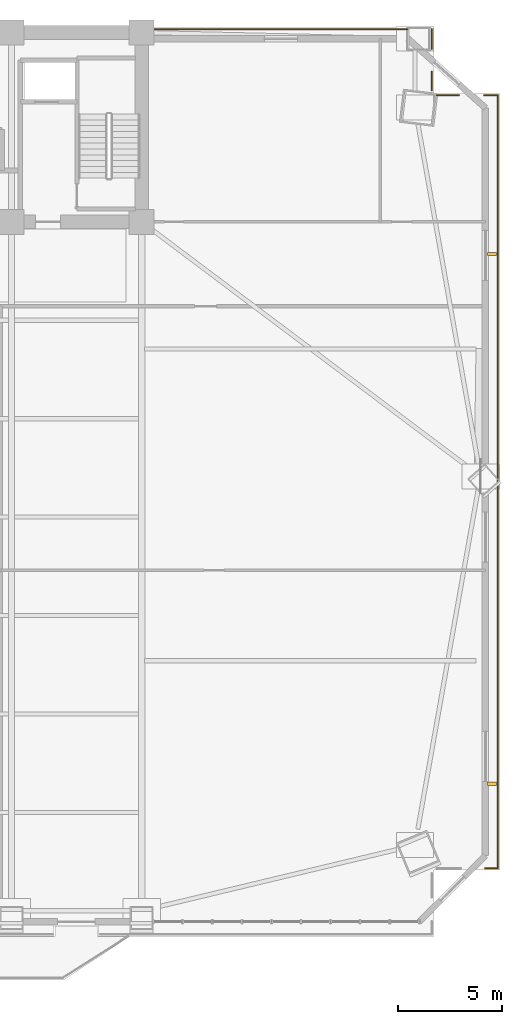
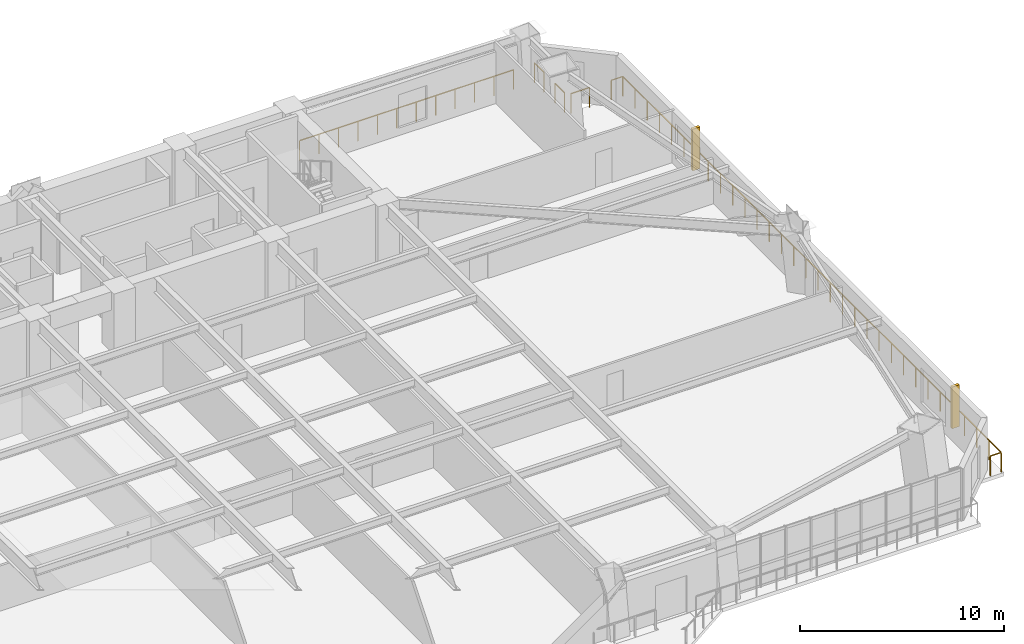
# One storey, part 17 of 17: 7 railings, 2 shading devices.
"""IFC4 building model written with IfcOpenShell, lengths in metres."""

from ifc_helpers import new_model, si_unit, direction, frame, origin, origin_2d, place, context, subcontext, project, spatial, rectangle, extrude, source, transform, mapped, material, type_object, element, save


model = new_model("IFC4")

# Units and contexts
model_context = context("Model", 3, precision=1e-05, world=origin(), true_north=direction((0.0, 1.0)))
body_context = subcontext(model_context, "Body", "Model", "MODEL_VIEW")
ifc_project = project(units=[si_unit("LENGTHUNIT", "METRE"), si_unit("AREAUNIT", "SQUARE_METRE"), si_unit("VOLUMEUNIT", "CUBIC_METRE"), si_unit("PLANEANGLEUNIT", "RADIAN"), si_unit("MASSUNIT", "GRAM", prefix="KILO")], contexts=[model_context])

# Site, building, storey
site_placement = place(None, origin())
site = spatial("IfcSite", under=ifc_project, at=site_placement, CompositionType="ELEMENT")
building_placement = place(site_placement, origin())
building = spatial("IfcBuilding", under=site, at=building_placement, Name="Giltprow Tower", CompositionType="ELEMENT")
storey_placement = place(building_placement, frame((0.0, 0.0, 44.89990234375)))
storey = spatial("IfcBuildingStorey", under=building, at=storey_placement, Name="L11", CompositionType="ELEMENT", Elevation=44.89990234375)

# Railings
ifc_material = material(Name="Anodized bronze", Category="metal")
railing_type = type_object("IfcRailingType", Name="RAIL-BALC-GUARD-1200", PredefinedType="BALUSTRADE", material=ifc_material)
railing_1_placement = place(storey_placement, frame((51.18505859375, 46.699951171875, 0.0)))
element("IfcRailing", 1, at=railing_1_placement, inside=storey, type_object=railing_type, Name="L11 Corner Apron Edge Balustrade 11", PredefinedType="BALUSTRADE", context=body_context, shape_type="SweptSolid", body=[
    extrude(rectangle(XDim=0.048095703125, YDim=0.048095703125, at=origin_2d()), frame((0.0, 0.0, 1.17578125), z_axis=(1.0, 0.0, 0.0), x_axis=(0.0, 1.0, 0.0)), (0.0, 0.0, 1.0), 12.120849609375),
    extrude(rectangle(XDim=0.0419921875, YDim=0.0419921875, at=origin_2d()), origin(), (0.0, 0.0, 1.0), 1.15185546875),
    extrude(rectangle(XDim=0.0419921875, YDim=0.0419921875, at=origin_2d()), frame((1.101806640625, 0.0, 0.0)), (0.0, 0.0, 1.0), 1.15185546875),
    extrude(rectangle(XDim=0.0419921875, YDim=0.0419921875, at=origin_2d()), frame((2.203857421875, 0.0, 0.0)), (0.0, 0.0, 1.0), 1.15185546875),
    extrude(rectangle(XDim=0.0419921875, YDim=0.0419921875, at=origin_2d()), frame((3.3056640625, 0.0, 0.0)), (0.0, 0.0, 1.0), 1.15185546875),
    extrude(rectangle(XDim=0.0419921875, YDim=0.0419921875, at=origin_2d()), frame((4.407470703125, 0.0, 0.0)), (0.0, 0.0, 1.0), 1.15185546875),
    extrude(rectangle(XDim=0.0419921875, YDim=0.0419921875, at=origin_2d()), frame((5.509521484375, 0.0, 0.0)), (0.0, 0.0, 1.0), 1.15185546875),
    extrude(rectangle(XDim=0.0419921875, YDim=0.0419921875, at=origin_2d()), frame((6.611328125, 0.0, 0.0)), (0.0, 0.0, 1.0), 1.15185546875),
    extrude(rectangle(XDim=0.0419921875, YDim=0.0419921875, at=origin_2d()), frame((7.71337890625, 0.0, 0.0)), (0.0, 0.0, 1.0), 1.15185546875),
    extrude(rectangle(XDim=0.0419921875, YDim=0.0419921875, at=origin_2d()), frame((8.815185546875, 0.0, 0.0)), (0.0, 0.0, 1.0), 1.15185546875),
    extrude(rectangle(XDim=0.0419921875, YDim=0.0419921875, at=origin_2d()), frame((9.9169921875, 0.0, 0.0)), (0.0, 0.0, 1.0), 1.15185546875),
    extrude(rectangle(XDim=0.0419921875, YDim=0.0419921875, at=origin_2d()), frame((11.01904296875, 0.0, 0.0)), (0.0, 0.0, 1.0), 1.15185546875),
    extrude(rectangle(XDim=0.0419921875, YDim=0.0419921875, at=origin_2d()), frame((12.120849609375, 0.0, 0.0)), (0.0, 0.0, 1.0), 1.15185546875),
])
railing_2_placement = place(storey_placement, frame((64.490966796875, 46.699951171875, 0.0)))
element("IfcRailing", 2, at=railing_2_placement, inside=storey, type_object=railing_type, Name="L11 Corner Apron Edge Balustrade 12", PredefinedType="BALUSTRADE", context=body_context, shape_type="SweptSolid", body=[
    extrude(rectangle(XDim=0.048095703125, YDim=0.048095703125, at=origin_2d()), frame((0.0, 0.0, 1.17578125), z_axis=(0.0, -1.0, 0.0), x_axis=(1.0, 0.0, 0.0)), (0.0, 0.0, 1.0), 0.927001953125),
    extrude(rectangle(XDim=0.0419921875, YDim=0.0419921875, at=origin_2d()), origin(), (0.0, 0.0, 1.0), 1.15185546875),
    extrude(rectangle(XDim=0.0419921875, YDim=0.0419921875, at=origin_2d()), frame((0.0, -0.927001953125, 0.0)), (0.0, 0.0, 1.0), 1.15185546875),
])
railing_3_placement = place(storey_placement, frame((64.490966796875, 44.674072265625, 0.0)))
element("IfcRailing", 3, at=railing_3_placement, inside=storey, type_object=railing_type, Name="L11 Corner Apron Edge Balustrade 13", PredefinedType="BALUSTRADE", context=body_context, shape_type="SweptSolid", body=[
    extrude(rectangle(XDim=0.048095703125, YDim=0.048095703125, at=origin_2d()), frame((0.0, 0.0, 1.17578125), z_axis=(0.0, -1.0, 0.0), x_axis=(1.0, 0.0, 0.0)), (0.0, 0.0, 1.0), 0.9130859375),
    extrude(rectangle(XDim=0.0419921875, YDim=0.0419921875, at=origin_2d()), origin(), (0.0, 0.0, 1.0), 1.15185546875),
    extrude(rectangle(XDim=0.0419921875, YDim=0.0419921875, at=origin_2d()), frame((0.0, -0.9130859375, 0.0)), (0.0, 0.0, 1.0), 1.15185546875),
])
railing_4_placement = place(storey_placement, frame((64.72607421875, 43.52587890625, 0.0)))
element("IfcRailing", 4, at=railing_4_placement, inside=storey, type_object=railing_type, Name="L11 Corner Apron Edge Balustrade 14", PredefinedType="BALUSTRADE", context=body_context, shape_type="SweptSolid", body=[
    extrude(rectangle(XDim=0.048095703125, YDim=0.048095703125, at=origin_2d()), frame((0.0, 0.0, 1.17578125), z_axis=(1.0, 0.0, 0.0), x_axis=(0.0, 1.0, 0.0)), (0.0, 0.0, 1.0), 1.051025390625),
    extrude(rectangle(XDim=0.0419921875, YDim=0.0419921875, at=origin_2d()), origin(), (0.0, 0.0, 1.0), 1.15185546875),
    extrude(rectangle(XDim=0.0419921875, YDim=0.0419921875, at=origin_2d()), frame((1.051025390625, 0.0, 0.0)), (0.0, 0.0, 1.0), 1.15185546875),
])
railing_5_placement = place(storey_placement, frame((67.009033203125, 43.52587890625, 0.0)))
element("IfcRailing", 5, at=railing_5_placement, inside=storey, type_object=railing_type, Name="L11 Corner Apron Edge Balustrade 15", PredefinedType="BALUSTRADE", context=body_context, shape_type="SweptSolid", body=[
    extrude(rectangle(XDim=0.048095703125, YDim=0.048095703125, at=origin_2d()), frame((0.0, 0.0, 1.17578125), z_axis=(1.0, 0.0, 0.0), x_axis=(0.0, 1.0, 0.0)), (0.0, 0.0, 1.0), 0.656005859375),
    extrude(rectangle(XDim=0.0419921875, YDim=0.0419921875, at=origin_2d()), origin(), (0.0, 0.0, 1.0), 1.15185546875),
    extrude(rectangle(XDim=0.0419921875, YDim=0.0419921875, at=origin_2d()), frame((0.656005859375, 0.0, 0.0)), (0.0, 0.0, 1.0), 1.15185546875),
])
railing_6_placement = place(storey_placement, frame((67.6650390625, 43.52587890625, 0.0)))
element("IfcRailing", 6, at=railing_6_placement, inside=storey, type_object=railing_type, Name="L11 Corner Apron Edge Balustrade 16", PredefinedType="BALUSTRADE", context=body_context, shape_type="SweptSolid", body=[
    extrude(rectangle(XDim=0.048095703125, YDim=0.048095703125, at=origin_2d()), frame((0.0, 0.0, 1.17578125), z_axis=(0.0, -1.0, 0.0), x_axis=(1.0, 0.0, 0.0)), (0.0, 0.0, 1.0), 37.1259765625),
    extrude(rectangle(XDim=0.0419921875, YDim=0.0419921875, at=origin_2d()), origin(), (0.0, 0.0, 1.0), 1.15185546875),
    extrude(rectangle(XDim=0.0419921875, YDim=0.0419921875, at=origin_2d()), frame((0.0, -1.197509765625, 0.0)), (0.0, 0.0, 1.0), 1.15185546875),
    extrude(rectangle(XDim=0.0419921875, YDim=0.0419921875, at=origin_2d()), frame((0.0, -2.395263671875, 0.0)), (0.0, 0.0, 1.0), 1.15185546875),
    extrude(rectangle(XDim=0.0419921875, YDim=0.0419921875, at=origin_2d()), frame((0.0, -3.5927734375, 0.0)), (0.0, 0.0, 1.0), 1.15185546875),
    extrude(rectangle(XDim=0.0419921875, YDim=0.0419921875, at=origin_2d()), frame((0.0, -4.79052734375, 0.0)), (0.0, 0.0, 1.0), 1.15185546875),
    extrude(rectangle(XDim=0.0419921875, YDim=0.0419921875, at=origin_2d()), frame((0.0, -5.988037109375, 0.0)), (0.0, 0.0, 1.0), 1.15185546875),
    extrude(rectangle(XDim=0.0419921875, YDim=0.0419921875, at=origin_2d()), frame((0.0, -7.185791015625, 0.0)), (0.0, 0.0, 1.0), 1.15185546875),
    extrude(rectangle(XDim=0.0419921875, YDim=0.0419921875, at=origin_2d()), frame((0.0, -8.38330078125, 0.0)), (0.0, 0.0, 1.0), 1.15185546875),
    extrude(rectangle(XDim=0.0419921875, YDim=0.0419921875, at=origin_2d()), frame((0.0, -9.580810546875, 0.0)), (0.0, 0.0, 1.0), 1.15185546875),
    extrude(rectangle(XDim=0.0419921875, YDim=0.0419921875, at=origin_2d()), frame((0.0, -10.778564453125, 0.0)), (0.0, 0.0, 1.0), 1.15185546875),
    extrude(rectangle(XDim=0.0419921875, YDim=0.0419921875, at=origin_2d()), frame((0.0, -11.97607421875, 0.0)), (0.0, 0.0, 1.0), 1.15185546875),
    extrude(rectangle(XDim=0.0419921875, YDim=0.0419921875, at=origin_2d()), frame((0.0, -13.173828125, 0.0)), (0.0, 0.0, 1.0), 1.15185546875),
    extrude(rectangle(XDim=0.0419921875, YDim=0.0419921875, at=origin_2d()), frame((0.0, -14.371337890625, 0.0)), (0.0, 0.0, 1.0), 1.15185546875),
    extrude(rectangle(XDim=0.0419921875, YDim=0.0419921875, at=origin_2d()), frame((0.0, -15.56884765625, 0.0)), (0.0, 0.0, 1.0), 1.15185546875),
    extrude(rectangle(XDim=0.0419921875, YDim=0.0419921875, at=origin_2d()), frame((0.0, -16.7666015625, 0.0)), (0.0, 0.0, 1.0), 1.15185546875),
    extrude(rectangle(XDim=0.0419921875, YDim=0.0419921875, at=origin_2d()), frame((0.0, -17.964111328125, 0.0)), (0.0, 0.0, 1.0), 1.15185546875),
    extrude(rectangle(XDim=0.0419921875, YDim=0.0419921875, at=origin_2d()), frame((0.0, -19.161865234375, 0.0)), (0.0, 0.0, 1.0), 1.15185546875),
    extrude(rectangle(XDim=0.0419921875, YDim=0.0419921875, at=origin_2d()), frame((0.0, -20.359375, 0.0)), (0.0, 0.0, 1.0), 1.15185546875),
    extrude(rectangle(XDim=0.0419921875, YDim=0.0419921875, at=origin_2d()), frame((0.0, -21.55712890625, 0.0)), (0.0, 0.0, 1.0), 1.15185546875),
    extrude(rectangle(XDim=0.0419921875, YDim=0.0419921875, at=origin_2d()), frame((0.0, -22.754638671875, 0.0)), (0.0, 0.0, 1.0), 1.15185546875),
    extrude(rectangle(XDim=0.0419921875, YDim=0.0419921875, at=origin_2d()), frame((0.0, -23.9521484375, 0.0)), (0.0, 0.0, 1.0), 1.15185546875),
    extrude(rectangle(XDim=0.0419921875, YDim=0.0419921875, at=origin_2d()), frame((0.0, -25.14990234375, 0.0)), (0.0, 0.0, 1.0), 1.15185546875),
    extrude(rectangle(XDim=0.0419921875, YDim=0.0419921875, at=origin_2d()), frame((0.0, -26.347412109375, 0.0)), (0.0, 0.0, 1.0), 1.15185546875),
    extrude(rectangle(XDim=0.0419921875, YDim=0.0419921875, at=origin_2d()), frame((0.0, -27.545166015625, 0.0)), (0.0, 0.0, 1.0), 1.15185546875),
    extrude(rectangle(XDim=0.0419921875, YDim=0.0419921875, at=origin_2d()), frame((0.0, -28.74267578125, 0.0)), (0.0, 0.0, 1.0), 1.15185546875),
    extrude(rectangle(XDim=0.0419921875, YDim=0.0419921875, at=origin_2d()), frame((0.0, -29.940185546875, 0.0)), (0.0, 0.0, 1.0), 1.15185546875),
    extrude(rectangle(XDim=0.0419921875, YDim=0.0419921875, at=origin_2d()), frame((0.0, -31.137939453125, 0.0)), (0.0, 0.0, 1.0), 1.15185546875),
    extrude(rectangle(XDim=0.0419921875, YDim=0.0419921875, at=origin_2d()), frame((0.0, -32.33544921875, 0.0)), (0.0, 0.0, 1.0), 1.15185546875),
    extrude(rectangle(XDim=0.0419921875, YDim=0.0419921875, at=origin_2d()), frame((0.0, -33.533203125, 0.0)), (0.0, 0.0, 1.0), 1.15185546875),
    extrude(rectangle(XDim=0.0419921875, YDim=0.0419921875, at=origin_2d()), frame((0.0, -34.730712890625, 0.0)), (0.0, 0.0, 1.0), 1.15185546875),
    extrude(rectangle(XDim=0.0419921875, YDim=0.0419921875, at=origin_2d()), frame((0.0, -35.928466796875, 0.0)), (0.0, 0.0, 1.0), 1.15185546875),
    extrude(rectangle(XDim=0.0419921875, YDim=0.0419921875, at=origin_2d()), frame((0.0, -37.1259765625, 0.0)), (0.0, 0.0, 1.0), 1.15185546875),
])
railing_7_placement = place(storey_placement, frame((67.6650390625, 6.39990234375, 0.0)))
element("IfcRailing", 7, at=railing_7_placement, inside=storey, type_object=railing_type, Name="L11 Corner Apron Edge Balustrade 17", PredefinedType="BALUSTRADE", context=body_context, shape_type="SweptSolid", body=[
    extrude(rectangle(XDim=0.048095703125, YDim=0.048095703125, at=origin_2d()), frame((0.0, 0.0, 1.17578125), z_axis=(-1.0, 0.0, 0.0), x_axis=(0.0, -1.0, 0.0)), (0.0, 0.0, 1.0), 0.62109375),
    extrude(rectangle(XDim=0.0419921875, YDim=0.0419921875, at=origin_2d()), origin(), (0.0, 0.0, 1.0), 1.15185546875),
    extrude(rectangle(XDim=0.0419921875, YDim=0.0419921875, at=origin_2d()), frame((-0.62109375, 0.0, 0.0)), (0.0, 0.0, 1.0), 1.15185546875),
])

# Shading devices
shading_device_type = type_object("IfcShadingDeviceType", Name="SHD-FIN-420", PredefinedType="USERDEFINED", material=ifc_material)
shared_shape = source(origin(), body_context, "Body", "SweptSolid", [
    extrude(rectangle(XDim=0.419921875, YDim=0.159912109375, at=origin_2d()), origin(), (0.0, 0.0, 1.0), 2.5),
])
for number, where, z_axis, x_axis, name in (
    (8, (67.385009765625, 10.447998046875, 0.35009765625), (0.0, 0.0, 1.0), (1.0, 0.0, 0.0), "L11 E Bronze Vertical Fin 1-1"),
    (9, (67.385009765625, 35.906982421875, 0.35009765625), (0.0, 0.0, 1.0), (1.0, 0.0, 0.0), "L11 E Bronze Vertical Fin 2-1"),
):
    element("IfcShadingDevice", number, at=place(storey_placement, frame(where, z_axis=z_axis, x_axis=x_axis)), inside=storey, type_object=shading_device_type, Name=name, ObjectType="FIN", PredefinedType="USERDEFINED", context=body_context, shape_type="MappedRepresentation", body=[
        mapped(shared_shape, transform((0.0, 0.0, 0.0), x_axis=(1.0, 0.0, 0.0), y_axis=(0.0, 1.0, 0.0), z_axis=(0.0, 0.0, 1.0), scale=1.0)),
    ])

save(model, "model.ifc")
